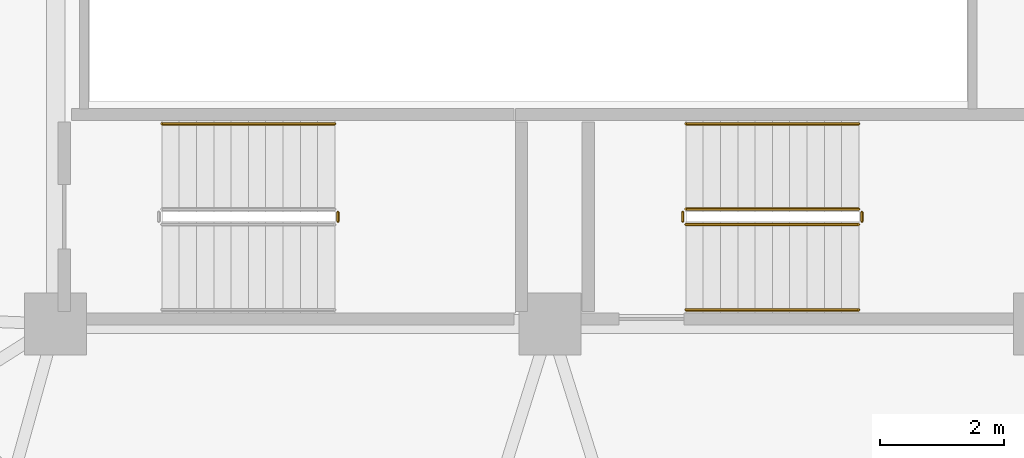
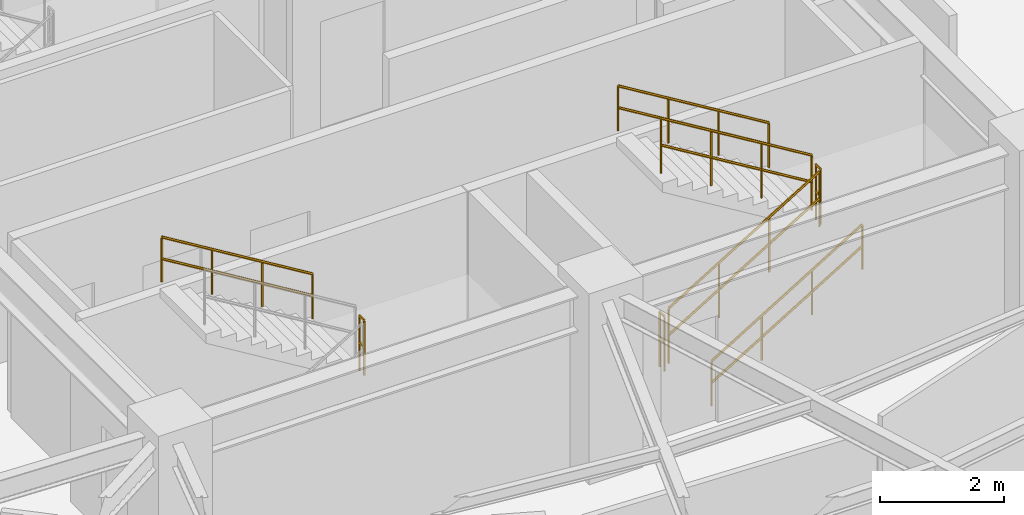
# One storey, part 29 of 31: 8 railings.
"""IFC4 building model written with IfcOpenShell, lengths in metres."""

import ifcopenshell
import ifcopenshell.guid

model = None  # the IFC model being written
_history = None  # IfcOwnerHistory: only IFC2X3 demands one
_inside = {}  # id of a spatial element -> (the spatial element, [elements in it])
_under = {}  # id of a project, library or spatial element -> (it, [spatial elements below it])
_declared = {}  # id of a project -> (the project, [libraries it declares])
_typed = {}  # id of a type object -> (the type object, [elements of that type])
_made_of = {}  # id of a material, layer set ... -> (it, [elements and type objects made of it])


def new_model(schema):
    """Start an empty IFC model of exactly this schema.

    Asked for "IFC4X3", IfcOpenShell would pick the latest addendum, in which some entities
    have other attributes; the version numbers below select the first issue.
    IFC2X3 requires an IfcOwnerHistory on every rooted entity: one is made here for all.
    """
    global model, _history
    if schema == "IFC4X3":
        model = ifcopenshell.file(schema_version=(4, 3, 0, 0))
    else:
        model = ifcopenshell.file(schema=schema)
    _inside.clear()
    _under.clear()
    _declared.clear()
    _typed.clear()
    _made_of.clear()
    _history = None
    if model.schema == "IFC2X3":
        org = make("IfcOrganization", Name="unknown")
        user = make(
            "IfcPersonAndOrganization",
            ThePerson=make("IfcPerson", FamilyName="unknown"),
            TheOrganization=org,
        )
        app = make(
            "IfcApplication",
            ApplicationDeveloper=org,
            Version="unknown",
            ApplicationFullName="unknown",
            ApplicationIdentifier="unknown",
        )
        _history = make(
            "IfcOwnerHistory",
            OwningUser=user,
            OwningApplication=app,
            ChangeAction="ADDED",
            CreationDate=0,
        )
    return model


def make(cls, **values):
    """One entity of the class cls with the attributes given. An attribute that is None is left unset."""
    return model.create_entity(
        cls, **{name: value for name, value in values.items() if value is not None}
    )


def rooted(cls, **values):
    """An entity with a GlobalId (a new one), such as an element, a storey or a relation."""
    return make(cls, GlobalId=ifcopenshell.guid.new(), OwnerHistory=_history, **values)


def si_unit(unit_type, name, prefix=None):
    """IfcSIUnit, for example si_unit("LENGTHUNIT", "METRE", prefix="MILLI")."""
    return make("IfcSIUnit", UnitType=unit_type, Prefix=prefix, Name=name)


def assignment(units):
    """IfcUnitAssignment: the units of a project."""
    return None if units is None else make("IfcUnitAssignment", Units=units)


def point(xyz):
    """IfcCartesianPoint."""
    return None if xyz is None else make("IfcCartesianPoint", Coordinates=xyz)


def direction(xyz):
    """IfcDirection."""
    return None if xyz is None else make("IfcDirection", DirectionRatios=xyz)


def frame(location, z_axis=None, x_axis=None):
    """IfcAxis2Placement3D, a coordinate frame: its origin and axes. An axis left out is left unset."""
    return make(
        "IfcAxis2Placement3D",
        Location=point(location),
        Axis=direction(z_axis),
        RefDirection=direction(x_axis),
    )


def origin():
    """The frame at (0, 0, 0) with its axes left unset."""
    return frame((0.0, 0.0, 0.0))


def place(relative_to, where):
    """IfcLocalPlacement: puts the frame where relative to a parent placement (None: the world)."""
    return make(
        "IfcLocalPlacement", PlacementRelTo=relative_to, RelativePlacement=where
    )


def context(
    kind, dimensions, precision=None, world=None, true_north=None, identifier=None
):
    """IfcGeometricRepresentationContext, for example the 3D "Model" context."""
    return make(
        "IfcGeometricRepresentationContext",
        ContextIdentifier=identifier,
        ContextType=kind,
        CoordinateSpaceDimension=dimensions,
        Precision=precision,
        WorldCoordinateSystem=world,
        TrueNorth=true_north,
    )


def subcontext(parent, identifier, kind, view, scale=None):
    """IfcGeometricRepresentationSubContext, for example "Body" below "Model"."""
    return make(
        "IfcGeometricRepresentationSubContext",
        ContextIdentifier=identifier,
        ContextType=kind,
        ParentContext=parent,
        TargetScale=scale,
        TargetView=view,
    )


def project(units=None, contexts=None):
    """IfcProject with its units and contexts."""
    return rooted(
        "IfcProject",
        Name="project",
        RepresentationContexts=contexts,
        UnitsInContext=assignment(units),
    )


def spatial(cls, under=None, at=None, **own):
    """A site, building, storey or space (cls), placed at a placement, below another one or the project."""
    s = rooted(cls, ObjectPlacement=at, **own)
    if under is not None:
        _under.setdefault(under.id(), (under, []))[1].append(s)
    return s


def polyline(points):
    """IfcPolyline through the points."""
    return make("IfcPolyline", Points=[point(p) for p in points])


def outline(outer, holes=None, kind="AREA"):
    """IfcArbitraryClosedProfileDef: a profile drawn as a closed curve; with holes, ...WithVoids."""
    if holes is None:
        return make("IfcArbitraryClosedProfileDef", ProfileType=kind, OuterCurve=outer)
    return make(
        "IfcArbitraryProfileDefWithVoids",
        ProfileType=kind,
        OuterCurve=outer,
        InnerCurves=holes,
    )


def extrude(swept, where, along, depth):
    """IfcExtrudedAreaSolid: the profile swept, set in the frame where, extruded along a direction by depth."""
    return make(
        "IfcExtrudedAreaSolid",
        SweptArea=swept,
        Position=where,
        ExtrudedDirection=direction(along),
        Depth=depth,
    )


def shape(context_of_items, identifier, shape_type, items):
    """IfcShapeRepresentation: the items that make up one representation, for example the "Body"."""
    return make(
        "IfcShapeRepresentation",
        ContextOfItems=context_of_items,
        RepresentationIdentifier=identifier,
        RepresentationType=shape_type,
        Items=items,
    )


def material(Name=None, Category=None):
    """IfcMaterial."""
    return make("IfcMaterial", Name=Name, Category=Category)


def made_of(thing, what):
    """Note that an element or type object is made of a material, layer set ...; save() writes the relation."""
    if what is not None:
        _made_of.setdefault(what.id(), (what, []))[1].append(thing)
    return thing


def type_object(cls, material=None, **own):
    """A type object (cls), such as IfcWallType, which elements share."""
    return made_of(rooted(cls, **own), material)


def element(
    cls,
    number,
    at=None,
    inside=None,
    cuts=None,
    type_object=None,
    material=None,
    context=None,
    identifier="Body",
    shape_type=None,
    held_by="IfcProductDefinitionShape",
    body=None,
    shapes=None,
    **own,
):
    """One element of the class cls, such as IfcWall. Its Tag is "e" and its number.

    at: its placement. inside: the storey or other place that contains it. cuts: it is an
    opening in that element (IfcRelVoidsElement). A single representation is given by context,
    identifier, shape_type and body (its items); several are given by shapes. held_by: the class
    of the entity that holds the representations. save() writes the other relations.
    """
    e = rooted(cls, Tag="e%d" % number, ObjectPlacement=at, **own)
    if body is not None:
        shapes = [shape(context, identifier, shape_type, body)]
    if shapes is not None:
        e.Representation = make(held_by, Representations=shapes)
    if inside is not None:
        _inside.setdefault(inside.id(), (inside, []))[1].append(e)
    if cuts is not None:
        rooted(
            "IfcRelVoidsElement", RelatingBuildingElement=cuts, RelatedOpeningElement=e
        )
    if type_object is not None:
        _typed.setdefault(type_object.id(), (type_object, []))[1].append(e)
    return made_of(e, material)


def aggregate(whole, parts):
    """IfcRelAggregates: a whole, such as a stair, and the parts it consists of."""
    return rooted("IfcRelAggregates", RelatingObject=whole, RelatedObjects=parts)


def save(model, path):
    """Write the relations noted so far, then the file.

    IfcRelAggregates (storeys below a building ...), IfcRelContainedInSpatialStructure (elements
    in a storey), IfcRelDefinesByType, IfcRelAssociatesMaterial and IfcRelDeclares: one each for
    every whole, place, type object, material and project.
    """
    for whole, parts in _under.values():
        aggregate(whole, parts)
    for where, things in _inside.values():
        rooted(
            "IfcRelContainedInSpatialStructure",
            RelatedElements=things,
            RelatingStructure=where,
        )
    for kind, things in _typed.values():
        rooted("IfcRelDefinesByType", RelatedObjects=things, RelatingType=kind)
    for what, things in _made_of.values():
        rooted("IfcRelAssociatesMaterial", RelatedObjects=things, RelatingMaterial=what)
    for by, libraries in _declared.values():
        rooted("IfcRelDeclares", RelatingContext=by, RelatedDefinitions=libraries)
    model.write(path)


model = new_model("IFC4")

# Units and contexts
model_context = context("Model", 3, precision=1e-05, world=origin(), true_north=direction((0.0, 1.0)))
body_context = subcontext(model_context, "Body", "Model", "MODEL_VIEW")
ifc_project = project(units=[si_unit("LENGTHUNIT", "METRE"), si_unit("AREAUNIT", "SQUARE_METRE"), si_unit("VOLUMEUNIT", "CUBIC_METRE"), si_unit("PLANEANGLEUNIT", "RADIAN"), si_unit("MASSUNIT", "GRAM", prefix="KILO")], contexts=[model_context])

# Site, building, storey
site_placement = place(None, origin())
site = spatial("IfcSite", under=ifc_project, at=site_placement, CompositionType="ELEMENT")
building_placement = place(site_placement, origin())
building = spatial("IfcBuilding", under=site, at=building_placement, Name="Kelanora Arch Commons", CompositionType="ELEMENT")
storey_placement = place(building_placement, frame((0.0, 0.0, 223.199951171875)))
storey = spatial("IfcBuildingStorey", under=building, at=storey_placement, Name="L57", CompositionType="ELEMENT", Elevation=223.199951171875)

# Railings
ifc_material_1 = material(Name="Painted steel stair well guard", Category="steel")
railing_type_1 = type_object("IfcRailingType", Name="RAIL-STAIR-GRD", PredefinedType="GUARDRAIL", material=ifc_material_1)
railing_1_placement = place(storey_placement, frame((76.199951171875, 52.610107421875, 0.17041015625)))
element("IfcRailing", 1, at=railing_1_placement, inside=storey, type_object=railing_type_1, Name="L57 ST-T2 stair guard 1", PredefinedType="GUARDRAIL", context=body_context, shape_type="SweptSolid", body=[
    extrude(outline(polyline([(0.02392578125, 0.0), (0.011962890625, 0.020751953125), (-0.011962890625, 0.020751953125), (-0.02392578125, 0.0), (-0.011962890625, -0.020751953125), (0.011962890625, -0.020751953125), (0.02392578125, 0.0)])), frame((0.0, 0.0, 1.076171875), z_axis=(0.854169791009, 0.0, 0.51999420009), x_axis=(0.0, 1.0, 0.0)), (0.0, 0.0, 1.0), 3.278076171875),
    extrude(outline(polyline([(0.02392578125, 0.0), (0.011962890625, 0.020751953125), (-0.011962890625, 0.020751953125), (-0.02392578125, 0.0), (-0.011962890625, -0.020751953125), (0.011962890625, -0.020751953125), (0.02392578125, 0.0)])), frame((0.0, 0.0, 0.550048828125), z_axis=(0.854169791009, 0.0, 0.51999420009), x_axis=(0.0, 1.0, 0.0)), (0.0, 0.0, 1.0), 3.278076171875),
    extrude(outline(polyline([(0.02099609375, 0.0), (0.010498046875, 0.01806640625), (-0.010498046875, 0.01806640625), (-0.02099609375, 0.0), (-0.010498046875, -0.01806640625), (0.010498046875, -0.01806640625), (0.02099609375, 0.0)])), origin(), (0.0, 0.0, 1.0), 1.052001953125),
    extrude(outline(polyline([(0.02099609375, 0.0), (0.010498046875, 0.01806640625), (-0.010498046875, 0.01806640625), (-0.02099609375, 0.0), (-0.010498046875, -0.01806640625), (0.010498046875, -0.01806640625), (0.02099609375, 0.0)])), frame((0.933349609375, 0.0, 0.568115234375)), (0.0, 0.0, 1.0), 1.052001953125),
    extrude(outline(polyline([(0.02099609375, 0.0), (0.010498046875, 0.01806640625), (-0.010498046875, 0.01806640625), (-0.02099609375, 0.0), (-0.010498046875, -0.01806640625), (0.010498046875, -0.01806640625), (0.02099609375, 0.0)])), frame((1.86669921875, 0.0, 1.136474609375)), (0.0, 0.0, 1.0), 1.052001953125),
    extrude(outline(polyline([(0.02099609375, 0.0), (0.010498046875, 0.01806640625), (-0.010498046875, 0.01806640625), (-0.02099609375, 0.0), (-0.010498046875, -0.01806640625), (0.010498046875, -0.01806640625), (0.02099609375, 0.0)])), frame((2.800048828125, 0.0, 1.70458984375)), (0.0, 0.0, 1.0), 1.052001953125),
])
railing_2_placement = place(storey_placement, frame((79.050048828125, 52.659912109375, 1.875)))
element("IfcRailing", 2, at=railing_2_placement, inside=storey, type_object=railing_type_1, Name="L57 ST-T2 stair guard 2", PredefinedType="GUARDRAIL", context=body_context, shape_type="SweptSolid", body=[
    extrude(outline(polyline([(0.02392578125, 0.0), (0.011962890625, 0.020751953125), (-0.011962890625, 0.020751953125), (-0.02392578125, 0.0), (-0.011962890625, -0.020751953125), (0.011962890625, -0.020751953125), (0.02392578125, 0.0)])), frame((0.0, 0.0, 1.076171875), z_axis=(0.0, 1.0, 0.0), x_axis=(-1.0, 0.0, 0.0)), (0.0, 0.0, 1.0), 0.150146484375),
    extrude(outline(polyline([(0.02392578125, 0.0), (0.011962890625, 0.020751953125), (-0.011962890625, 0.020751953125), (-0.02392578125, 0.0), (-0.011962890625, -0.020751953125), (0.011962890625, -0.020751953125), (0.02392578125, 0.0)])), frame((0.0, 0.0, 0.550048828125), z_axis=(0.0, 1.0, 0.0), x_axis=(-1.0, 0.0, 0.0)), (0.0, 0.0, 1.0), 0.150146484375),
    extrude(outline(polyline([(0.02099609375, 0.0), (0.010498046875, 0.01806640625), (-0.010498046875, 0.01806640625), (-0.02099609375, 0.0), (-0.010498046875, -0.01806640625), (0.010498046875, -0.01806640625), (0.02099609375, 0.0)])), origin(), (0.0, 0.0, 1.0), 1.052001953125),
    extrude(outline(polyline([(0.02099609375, 0.0), (0.010498046875, 0.01806640625), (-0.010498046875, 0.01806640625), (-0.02099609375, 0.0), (-0.010498046875, -0.01806640625), (0.010498046875, -0.01806640625), (0.02099609375, 0.0)])), frame((0.0, 0.150146484375, 0.0)), (0.0, 0.0, 1.0), 1.052001953125),
])
railing_3_placement = place(storey_placement, frame((79.0, 52.860107421875, 2.04541015625)))
element("IfcRailing", 3, at=railing_3_placement, inside=storey, type_object=railing_type_1, Name="L57 ST-T2 stair guard 3", PredefinedType="GUARDRAIL", context=body_context, shape_type="SweptSolid", body=[
    extrude(outline(polyline([(0.02392578125, 0.0), (0.011962890625, 0.020751953125), (-0.011962890625, 0.020751953125), (-0.02392578125, 0.0), (-0.011962890625, -0.020751953125), (0.011962890625, -0.020751953125), (0.02392578125, 0.0)])), frame((0.0, 0.0, 1.076171875), z_axis=(-0.854169791009, 0.0, 0.51999420009), x_axis=(0.0, -1.0, 0.0)), (0.0, 0.0, 1.0), 3.278076171875),
    extrude(outline(polyline([(0.02392578125, 0.0), (0.011962890625, 0.020751953125), (-0.011962890625, 0.020751953125), (-0.02392578125, 0.0), (-0.011962890625, -0.020751953125), (0.011962890625, -0.020751953125), (0.02392578125, 0.0)])), frame((0.0, 0.0, 0.550048828125), z_axis=(-0.854169791009, 0.0, 0.51999420009), x_axis=(0.0, -1.0, 0.0)), (0.0, 0.0, 1.0), 3.278076171875),
    extrude(outline(polyline([(0.02099609375, 0.0), (0.010498046875, 0.01806640625), (-0.010498046875, 0.01806640625), (-0.02099609375, 0.0), (-0.010498046875, -0.01806640625), (0.010498046875, -0.01806640625), (0.02099609375, 0.0)])), origin(), (0.0, 0.0, 1.0), 1.052001953125),
    extrude(outline(polyline([(0.02099609375, 0.0), (0.010498046875, 0.01806640625), (-0.010498046875, 0.01806640625), (-0.02099609375, 0.0), (-0.010498046875, -0.01806640625), (0.010498046875, -0.01806640625), (0.02099609375, 0.0)])), frame((-0.933349609375, 0.0, 0.568115234375)), (0.0, 0.0, 1.0), 1.052001953125),
    extrude(outline(polyline([(0.02099609375, 0.0), (0.010498046875, 0.01806640625), (-0.010498046875, 0.01806640625), (-0.02099609375, 0.0), (-0.010498046875, -0.01806640625), (0.010498046875, -0.01806640625), (0.02099609375, 0.0)])), frame((-1.86669921875, 0.0, 1.136474609375)), (0.0, 0.0, 1.0), 1.052001953125),
    extrude(outline(polyline([(0.02099609375, 0.0), (0.010498046875, 0.01806640625), (-0.010498046875, 0.01806640625), (-0.02099609375, 0.0), (-0.010498046875, -0.01806640625), (0.010498046875, -0.01806640625), (0.02099609375, 0.0)])), frame((-2.800048828125, 0.0, 1.70458984375)), (0.0, 0.0, 1.0), 1.052001953125),
])
for number, where, name in (
    (4, (76.14990234375, 52.659912109375, 0.0), "L57 ST-T2 stair guard 4"),
    (5, (70.570068359375, 52.659912109375, 1.875), "L57 ST-T3 stair guard 2"),
):
    element("IfcRailing", number, at=place(storey_placement, frame(where)), inside=storey, type_object=railing_type_1, Name=name, PredefinedType="GUARDRAIL", context=body_context, shape_type="SweptSolid", body=[
        extrude(outline(polyline([(0.02392578125, 0.0), (0.011962890625, 0.020751953125), (-0.011962890625, 0.020751953125), (-0.02392578125, 0.0), (-0.011962890625, -0.020751953125), (0.011962890625, -0.020751953125), (0.02392578125, 0.0)])), frame((0.0, 0.0, 1.076171875), z_axis=(0.0, 1.0, 0.0), x_axis=(-1.0, 0.0, 0.0)), (0.0, 0.0, 1.0), 0.150146484375),
        extrude(outline(polyline([(0.02392578125, 0.0), (0.011962890625, 0.020751953125), (-0.011962890625, 0.020751953125), (-0.02392578125, 0.0), (-0.011962890625, -0.020751953125), (0.011962890625, -0.020751953125), (0.02392578125, 0.0)])), frame((0.0, 0.0, 0.550048828125), z_axis=(0.0, 1.0, 0.0), x_axis=(-1.0, 0.0, 0.0)), (0.0, 0.0, 1.0), 0.150146484375),
        extrude(outline(polyline([(0.02099609375, 0.0), (0.010498046875, 0.01806640625), (-0.010498046875, 0.01806640625), (-0.02099609375, 0.0), (-0.010498046875, -0.01806640625), (0.010498046875, -0.01806640625), (0.02099609375, 0.0)])), origin(), (0.0, 0.0, 1.0), 1.052001953125),
        extrude(outline(polyline([(0.02099609375, 0.0), (0.010498046875, 0.01806640625), (-0.010498046875, 0.01806640625), (-0.02099609375, 0.0), (-0.010498046875, -0.01806640625), (0.010498046875, -0.01806640625), (0.02099609375, 0.0)])), frame((0.0, 0.150146484375, 0.0)), (0.0, 0.0, 1.0), 1.052001953125),
    ])
ifc_material_2 = material(Name="Brushed stainless steel stair handrail", Category="steel")
railing_type_2 = type_object("IfcRailingType", Name="RAIL-STAIR-HND", PredefinedType="HANDRAIL", material=ifc_material_2)
railing_4_placement = place(storey_placement, frame((76.199951171875, 51.22998046875, 0.17041015625)))
element("IfcRailing", 6, at=railing_4_placement, inside=storey, type_object=railing_type_2, Name="L57 ST-T2 stair handrail 1", PredefinedType="HANDRAIL", context=body_context, shape_type="SweptSolid", body=[
    extrude(outline(polyline([(0.02392578125, 0.0), (0.011962890625, 0.020751953125), (-0.011962890625, 0.020751953125), (-0.02392578125, 0.0), (-0.011962890625, -0.020751953125), (0.011962890625, -0.020751953125), (0.02392578125, 0.0)])), frame((0.0, 0.0, 0.8759765625), z_axis=(0.854169791009, 0.0, 0.51999420009), x_axis=(0.0, 1.0, 0.0)), (0.0, 0.0, 1.0), 3.278076171875),
    extrude(outline(polyline([(0.02392578125, 0.0), (0.011962890625, 0.020751953125), (-0.011962890625, 0.020751953125), (-0.02392578125, 0.0), (-0.011962890625, -0.020751953125), (0.011962890625, -0.020751953125), (0.02392578125, 0.0)])), frame((0.0, 0.0, 0.449951171875), z_axis=(0.854169791009, 0.0, 0.51999420009), x_axis=(0.0, 1.0, 0.0)), (0.0, 0.0, 1.0), 3.278076171875),
    extrude(outline(polyline([(0.02099609375, 0.0), (0.010498046875, 0.01806640625), (-0.010498046875, 0.01806640625), (-0.02099609375, 0.0), (-0.010498046875, -0.01806640625), (0.010498046875, -0.01806640625), (0.02099609375, 0.0)])), origin(), (0.0, 0.0, 1.0), 0.851806640625),
    extrude(outline(polyline([(0.02099609375, 0.0), (0.010498046875, 0.01806640625), (-0.010498046875, 0.01806640625), (-0.02099609375, 0.0), (-0.010498046875, -0.01806640625), (0.010498046875, -0.01806640625), (0.02099609375, 0.0)])), frame((0.933349609375, 0.0, 0.568115234375)), (0.0, 0.0, 1.0), 0.851806640625),
    extrude(outline(polyline([(0.02099609375, 0.0), (0.010498046875, 0.01806640625), (-0.010498046875, 0.01806640625), (-0.02099609375, 0.0), (-0.010498046875, -0.01806640625), (0.010498046875, -0.01806640625), (0.02099609375, 0.0)])), frame((1.86669921875, 0.0, 1.136474609375)), (0.0, 0.0, 1.0), 0.851806640625),
    extrude(outline(polyline([(0.02099609375, 0.0), (0.010498046875, 0.01806640625), (-0.010498046875, 0.01806640625), (-0.02099609375, 0.0), (-0.010498046875, -0.01806640625), (0.010498046875, -0.01806640625), (0.02099609375, 0.0)])), frame((2.800048828125, 0.0, 1.70458984375)), (0.0, 0.0, 1.0), 0.851806640625),
])
railing_5_placement = place(storey_placement, frame((79.0, 54.239990234375, 2.04541015625)))
element("IfcRailing", 7, at=railing_5_placement, inside=storey, type_object=railing_type_2, Name="L57 ST-T2 stair handrail 2", PredefinedType="HANDRAIL", context=body_context, shape_type="SweptSolid", body=[
    extrude(outline(polyline([(0.02392578125, 0.0), (0.011962890625, 0.020751953125), (-0.011962890625, 0.020751953125), (-0.02392578125, 0.0), (-0.011962890625, -0.020751953125), (0.011962890625, -0.020751953125), (0.02392578125, 0.0)])), frame((0.0, 0.0, 0.8759765625), z_axis=(-0.854169791009, 0.0, 0.51999420009), x_axis=(0.0, -1.0, 0.0)), (0.0, 0.0, 1.0), 3.278076171875),
    extrude(outline(polyline([(0.02392578125, 0.0), (0.011962890625, 0.020751953125), (-0.011962890625, 0.020751953125), (-0.02392578125, 0.0), (-0.011962890625, -0.020751953125), (0.011962890625, -0.020751953125), (0.02392578125, 0.0)])), frame((0.0, 0.0, 0.449951171875), z_axis=(-0.854169791009, 0.0, 0.51999420009), x_axis=(0.0, -1.0, 0.0)), (0.0, 0.0, 1.0), 3.278076171875),
    extrude(outline(polyline([(0.02099609375, 0.0), (0.010498046875, 0.01806640625), (-0.010498046875, 0.01806640625), (-0.02099609375, 0.0), (-0.010498046875, -0.01806640625), (0.010498046875, -0.01806640625), (0.02099609375, 0.0)])), origin(), (0.0, 0.0, 1.0), 0.851806640625),
    extrude(outline(polyline([(0.02099609375, 0.0), (0.010498046875, 0.01806640625), (-0.010498046875, 0.01806640625), (-0.02099609375, 0.0), (-0.010498046875, -0.01806640625), (0.010498046875, -0.01806640625), (0.02099609375, 0.0)])), frame((-0.933349609375, 0.0, 0.568115234375)), (0.0, 0.0, 1.0), 0.851806640625),
    extrude(outline(polyline([(0.02099609375, 0.0), (0.010498046875, 0.01806640625), (-0.010498046875, 0.01806640625), (-0.02099609375, 0.0), (-0.010498046875, -0.01806640625), (0.010498046875, -0.01806640625), (0.02099609375, 0.0)])), frame((-1.86669921875, 0.0, 1.136474609375)), (0.0, 0.0, 1.0), 0.851806640625),
    extrude(outline(polyline([(0.02099609375, 0.0), (0.010498046875, 0.01806640625), (-0.010498046875, 0.01806640625), (-0.02099609375, 0.0), (-0.010498046875, -0.01806640625), (0.010498046875, -0.01806640625), (0.02099609375, 0.0)])), frame((-2.800048828125, 0.0, 1.70458984375)), (0.0, 0.0, 1.0), 0.851806640625),
])
railing_6_placement = place(storey_placement, frame((70.52001953125, 54.239990234375, 2.04541015625)))
element("IfcRailing", 8, at=railing_6_placement, inside=storey, type_object=railing_type_2, Name="L57 ST-T3 stair handrail 2", PredefinedType="HANDRAIL", context=body_context, shape_type="SweptSolid", body=[
    extrude(outline(polyline([(0.02392578125, 0.0), (0.011962890625, 0.020751953125), (-0.011962890625, 0.020751953125), (-0.02392578125, 0.0), (-0.011962890625, -0.020751953125), (0.011962890625, -0.020751953125), (0.02392578125, 0.0)])), frame((0.0, 0.0, 0.8759765625), z_axis=(-0.854169791009, 0.0, 0.51999420009), x_axis=(0.0, -1.0, 0.0)), (0.0, 0.0, 1.0), 3.278076171875),
    extrude(outline(polyline([(0.02392578125, 0.0), (0.011962890625, 0.020751953125), (-0.011962890625, 0.020751953125), (-0.02392578125, 0.0), (-0.011962890625, -0.020751953125), (0.011962890625, -0.020751953125), (0.02392578125, 0.0)])), frame((0.0, 0.0, 0.449951171875), z_axis=(-0.854169791009, 0.0, 0.51999420009), x_axis=(0.0, -1.0, 0.0)), (0.0, 0.0, 1.0), 3.278076171875),
    extrude(outline(polyline([(0.02099609375, 0.0), (0.010498046875, 0.01806640625), (-0.010498046875, 0.01806640625), (-0.02099609375, 0.0), (-0.010498046875, -0.01806640625), (0.010498046875, -0.01806640625), (0.02099609375, 0.0)])), origin(), (0.0, 0.0, 1.0), 0.851806640625),
    extrude(outline(polyline([(0.02099609375, 0.0), (0.010498046875, 0.01806640625), (-0.010498046875, 0.01806640625), (-0.02099609375, 0.0), (-0.010498046875, -0.01806640625), (0.010498046875, -0.01806640625), (0.02099609375, 0.0)])), frame((-0.933349609375, 0.0, 0.568115234375)), (0.0, 0.0, 1.0), 0.851806640625),
    extrude(outline(polyline([(0.02099609375, 0.0), (0.010498046875, 0.01806640625), (-0.010498046875, 0.01806640625), (-0.02099609375, 0.0), (-0.010498046875, -0.01806640625), (0.010498046875, -0.01806640625), (0.02099609375, 0.0)])), frame((-1.86669921875, 0.0, 1.136474609375)), (0.0, 0.0, 1.0), 0.851806640625),
    extrude(outline(polyline([(0.02099609375, 0.0), (0.010498046875, 0.01806640625), (-0.010498046875, 0.01806640625), (-0.02099609375, 0.0), (-0.010498046875, -0.01806640625), (0.010498046875, -0.01806640625), (0.02099609375, 0.0)])), frame((-2.800048828125, 0.0, 1.70458984375)), (0.0, 0.0, 1.0), 0.851806640625),
])

save(model, "model.ifc")
